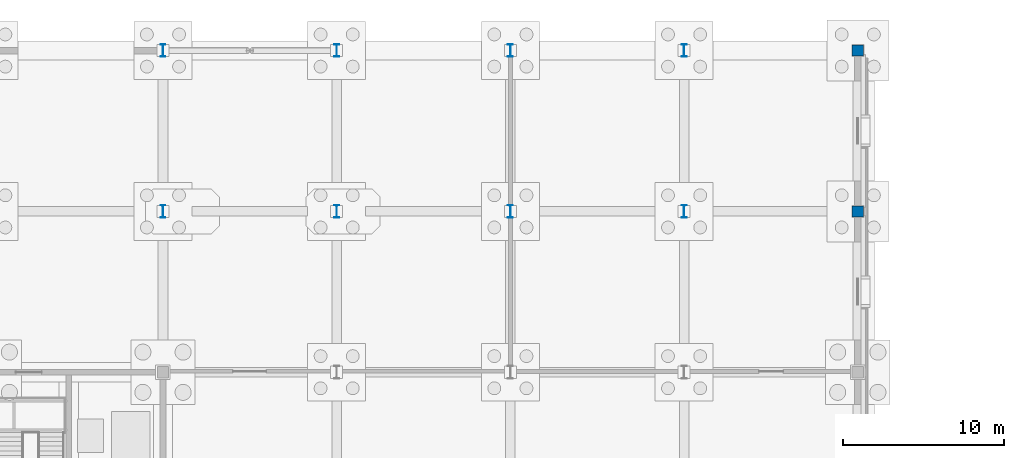
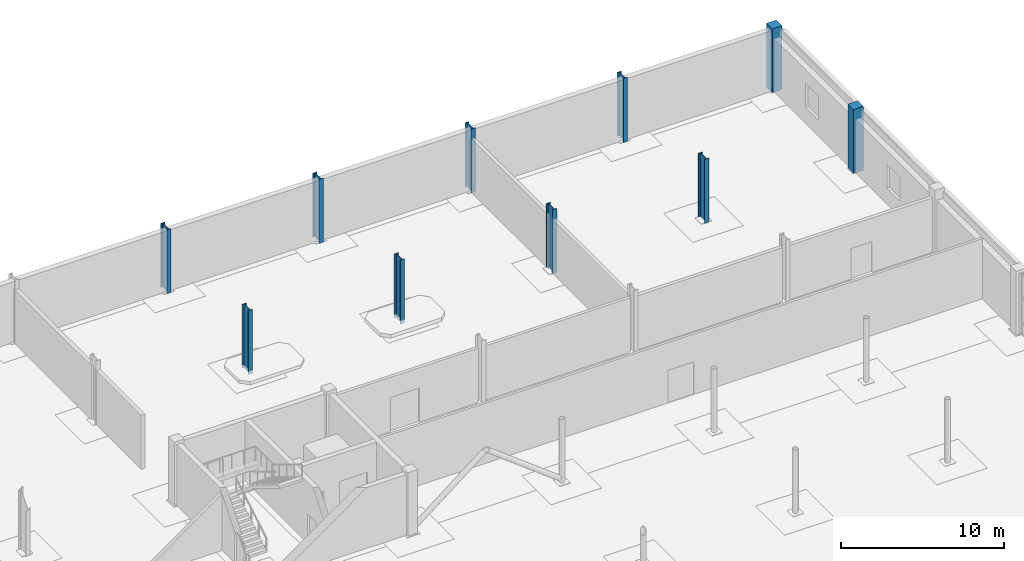
# One storey, part 20 of 73: 10 columns.
"""IFC4 building model written with IfcOpenShell, lengths in metres."""

from ifc_helpers import new_model, si_unit, direction, frame, origin, origin_2d, place, context, subcontext, project, spatial, rectangle, i_section, extrude, material, material_profile, profile_set, type_object, element, save


model = new_model("IFC4")

# Units and contexts
model_context = context("Model", 3, precision=1e-05, world=origin(), true_north=direction((0.0, 1.0)))
body_context = subcontext(model_context, "Body", "Model", "MODEL_VIEW")
ifc_project = project(units=[si_unit("LENGTHUNIT", "METRE"), si_unit("AREAUNIT", "SQUARE_METRE"), si_unit("VOLUMEUNIT", "CUBIC_METRE"), si_unit("PLANEANGLEUNIT", "RADIAN"), si_unit("MASSUNIT", "GRAM", prefix="KILO")], contexts=[model_context])

# Site, building, storey
site_placement = place(None, origin())
site = spatial("IfcSite", under=ifc_project, at=site_placement, CompositionType="ELEMENT")
building_placement = place(site_placement, origin())
building = spatial("IfcBuilding", under=site, at=building_placement, Name="Tasgan Crest Museum", CompositionType="ELEMENT")
storey_placement = place(building_placement, origin())
storey = spatial("IfcBuildingStorey", under=building, at=storey_placement, Name="L00", CompositionType="ELEMENT", Elevation=0.0)

# Columns
ifc_material_1 = material(Name="Steel S355K2", Category="steel")
ifc_material_profile_1 = material_profile(ifc_material_1, i_section(OverallWidth=0.300048828125, OverallDepth=0.7900390625, WebThickness=0.014892578125, FlangeThickness=0.028076171875, FilletRadius=0.030029296875, at=origin_2d()), Name="HEA 800")
ifc_profile_set_1 = profile_set([ifc_material_profile_1], Name="Steel S355K2")
column_type_1 = type_object("IfcColumnType", Name="COL-HEA800", PredefinedType="COLUMN", material=ifc_profile_set_1)
for number, where, z_axis, x_axis, name in (
    (1, (64.800048828125, 102.0, 0.0), (0.0, 0.0, 1.0), (1.0, 0.0, 0.0), "Column 7/L L00"),
    (2, (64.800048828125, 112.0, 0.0), (0.0, 0.0, 1.0), (1.0, 0.0, 0.0), "Column 7/M L00"),
    (3, (75.60009765625, 102.0, 0.0), (0.0, 0.0, 1.0), (1.0, 0.0, 0.0), "Column 8/L L00"),
    (4, (75.60009765625, 112.0, 0.0), (0.0, 0.0, 1.0), (1.0, 0.0, 0.0), "Column 8/M L00"),
    (5, (86.39990234375, 102.0, 0.0), (0.0, 0.0, 1.0), (1.0, 0.0, 0.0), "Column 9/L L00"),
    (6, (86.39990234375, 112.0, 0.0), (0.0, 0.0, 1.0), (1.0, 0.0, 0.0), "Column 9/M L00"),
    (7, (97.199951171875, 102.0, 0.0), (0.0, 0.0, 1.0), (1.0, 0.0, 0.0), "Column 10/L L00"),
    (8, (97.199951171875, 112.0, 0.0), (0.0, 0.0, 1.0), (1.0, 0.0, 0.0), "Column 10/M L00"),
):
    element("IfcColumn", number, at=place(storey_placement, frame(where, z_axis=z_axis, x_axis=x_axis)), inside=storey, type_object=column_type_1, Name=name, PredefinedType="COLUMN", context=body_context, shape_type="SweptSolid", body=[
        extrude(i_section(OverallWidth=0.300048828125, OverallDepth=0.7900390625, WebThickness=0.014892578125, FlangeThickness=0.028076171875, FilletRadius=0.030029296875, at=origin_2d()), origin(), (0.0, 0.0, 1.0), 4.800048828125),
    ])
ifc_material_2 = material(Name="Concrete C40/50", Category="concrete")
ifc_material_profile_2 = material_profile(ifc_material_2, rectangle(XDim=0.699951171875, YDim=0.699951171875, at=origin_2d()), Name="RC 700x700")
ifc_profile_set_2 = profile_set([ifc_material_profile_2], Name="Concrete C40/50")
column_type_2 = type_object("IfcColumnType", Name="COL-RC700", PredefinedType="COLUMN", material=ifc_profile_set_2)
for number, where, z_axis, x_axis, name in (
    (9, (108.0, 102.0, 0.0), (0.0, 0.0, 1.0), (1.0, 0.0, 0.0), "Column 11/L L00"),
    (10, (108.0, 112.0, 0.0), (0.0, 0.0, 1.0), (1.0, 0.0, 0.0), "Column 11/M L00"),
):
    element("IfcColumn", number, at=place(storey_placement, frame(where, z_axis=z_axis, x_axis=x_axis)), inside=storey, type_object=column_type_2, Name=name, PredefinedType="COLUMN", context=body_context, shape_type="SweptSolid", body=[
        extrude(rectangle(XDim=0.699951171875, YDim=0.699951171875, at=origin_2d()), origin(), (0.0, 0.0, 1.0), 4.800048828125),
    ])

save(model, "model.ifc")
